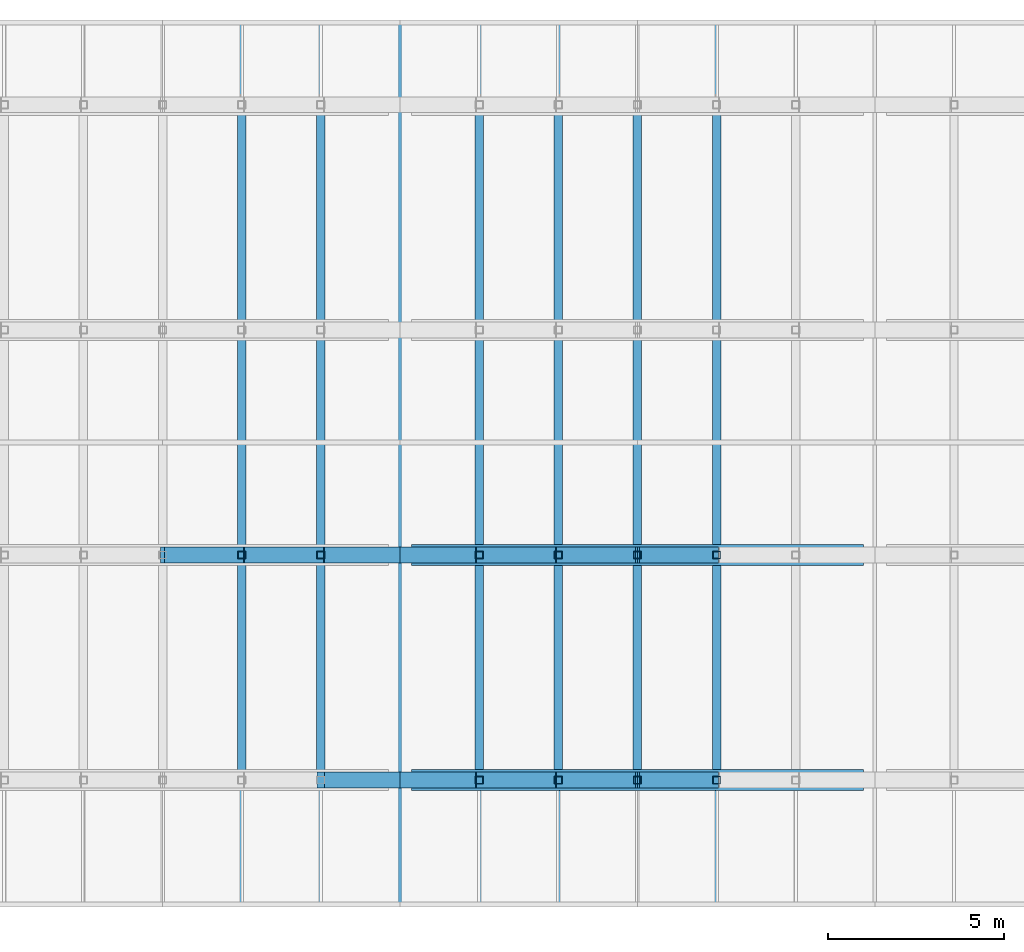
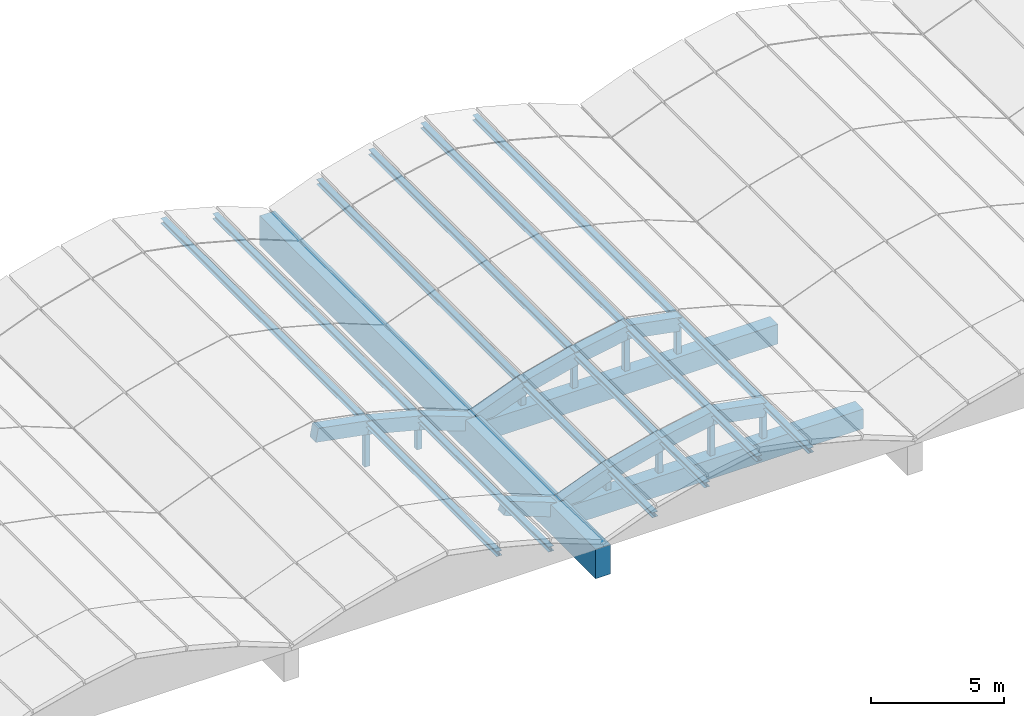
# One storey, part 5 of 15: 16 members, 15 beams.
"""IFC4 building model written with IfcOpenShell, lengths in metres."""

from ifc_helpers import new_model, si_unit, direction, frame, origin, origin_2d, place, context, subcontext, project, spatial, rectangle, hollow_rectangle, i_section, extrude, material, material_profile, profile_set, type_object, element, save


model = new_model("IFC4")

# Units and contexts
model_context = context("Model", 3, precision=1e-05, world=origin(), true_north=direction((0.0, 1.0)))
body_context = subcontext(model_context, "Body", "Model", "MODEL_VIEW")
ifc_project = project(units=[si_unit("LENGTHUNIT", "METRE"), si_unit("AREAUNIT", "SQUARE_METRE"), si_unit("VOLUMEUNIT", "CUBIC_METRE"), si_unit("PLANEANGLEUNIT", "RADIAN"), si_unit("MASSUNIT", "GRAM", prefix="KILO")], contexts=[model_context])

# Site, building, storey
site_placement = place(None, origin())
site = spatial("IfcSite", under=ifc_project, at=site_placement, CompositionType="ELEMENT")
building_placement = place(site_placement, origin())
building = spatial("IfcBuilding", under=site, at=building_placement, Name="Fikremerkos Civic Library", CompositionType="ELEMENT")
storey_placement = place(building_placement, frame((0.0, 0.0, 27.89990234375)))
storey = spatial("IfcBuildingStorey", under=building, at=storey_placement, Name="RF", CompositionType="ELEMENT", Elevation=27.89990234375)

# Members
ifc_material_1 = material(Name="Steel S355", Category="steel")
ifc_material_profile_1 = material_profile(ifc_material_1, hollow_rectangle(XDim=0.219970703125, YDim=0.219970703125, WallThickness=0.012451171875, at=origin_2d()), Name="SHS 220x220x12.5")
ifc_profile_set_1 = profile_set([ifc_material_profile_1], Name="Steel S355")
member_type_1 = type_object("IfcMemberType", Name="Frame post PST-04 SHS 220x220x12.5", PredefinedType="POST", material=ifc_profile_set_1)
member_1_placement = place(storey_placement, frame((68.699951171875, 18.39990234375, -0.75), z_axis=(0.0, 0.0, 1.0), x_axis=(1.0, 0.0, 0.0)))
element("IfcMember", 1, at=member_1_placement, inside=storey, type_object=member_type_1, Name="Vault tied-arch web post PST-04 V4 R2.4", PredefinedType="POST", context=body_context, shape_type="SweptSolid", body=[
    extrude(hollow_rectangle(XDim=0.219970703125, YDim=0.219970703125, WallThickness=0.012451171875, at=origin_2d()), origin(), (0.0, 0.0, 1.0), 2.05419921875),
])
member_2_placement = place(storey_placement, frame((70.949951171875, 18.39990234375, -0.75), z_axis=(0.0, 0.0, 1.0), x_axis=(1.0, 0.0, 0.0)))
element("IfcMember", 2, at=member_2_placement, inside=storey, type_object=member_type_1, Name="Vault tied-arch web post PST-04 V4 R2.5", PredefinedType="POST", context=body_context, shape_type="SweptSolid", body=[
    extrude(hollow_rectangle(XDim=0.219970703125, YDim=0.219970703125, WallThickness=0.012451171875, at=origin_2d()), origin(), (0.0, 0.0, 1.0), 1.47607421875),
])
member_3_placement = place(storey_placement, frame((75.449951171875, 12.0, -0.75), z_axis=(0.0, 0.0, 1.0), x_axis=(1.0, 0.0, 0.0)))
element("IfcMember", 3, at=member_3_placement, inside=storey, type_object=member_type_1, Name="Vault tied-arch web post PST-04 V5 R1.1", PredefinedType="POST", context=body_context, shape_type="SweptSolid", body=[
    extrude(hollow_rectangle(XDim=0.219970703125, YDim=0.219970703125, WallThickness=0.012451171875, at=origin_2d()), origin(), (0.0, 0.0, 1.0), 1.43603515625),
])
member_4_placement = place(storey_placement, frame((77.699951171875, 12.0, -0.75), z_axis=(0.0, 0.0, 1.0), x_axis=(1.0, 0.0, 0.0)))
element("IfcMember", 4, at=member_4_placement, inside=storey, type_object=member_type_1, Name="Vault tied-arch web post PST-04 V5 R1.2", PredefinedType="POST", context=body_context, shape_type="SweptSolid", body=[
    extrude(hollow_rectangle(XDim=0.219970703125, YDim=0.219970703125, WallThickness=0.012451171875, at=origin_2d()), origin(), (0.0, 0.0, 1.0), 2.01416015625),
])
member_5_placement = place(storey_placement, frame((79.949951171875, 12.0, -0.75), z_axis=(0.0, 0.0, 1.0), x_axis=(1.0, 0.0, 0.0)))
element("IfcMember", 5, at=member_5_placement, inside=storey, type_object=member_type_1, Name="Vault tied-arch web post PST-04 V5 R1.3", PredefinedType="POST", context=body_context, shape_type="SweptSolid", body=[
    extrude(hollow_rectangle(XDim=0.219970703125, YDim=0.219970703125, WallThickness=0.012451171875, at=origin_2d()), origin(), (0.0, 0.0, 1.0), 2.43408203125),
])
member_6_placement = place(storey_placement, frame((82.199951171875, 12.0, -0.75), z_axis=(0.0, 0.0, 1.0), x_axis=(1.0, 0.0, 0.0)))
element("IfcMember", 6, at=member_6_placement, inside=storey, type_object=member_type_1, Name="Vault tied-arch web post PST-04 V5 R1.4", PredefinedType="POST", context=body_context, shape_type="SweptSolid", body=[
    extrude(hollow_rectangle(XDim=0.219970703125, YDim=0.219970703125, WallThickness=0.012451171875, at=origin_2d()), origin(), (0.0, 0.0, 1.0), 2.01416015625),
])
member_7_placement = place(storey_placement, frame((75.449951171875, 18.39990234375, -0.75), z_axis=(0.0, 0.0, 1.0), x_axis=(1.0, 0.0, 0.0)))
element("IfcMember", 7, at=member_7_placement, inside=storey, type_object=member_type_1, Name="Vault tied-arch web post PST-04 V5 R2.1", PredefinedType="POST", context=body_context, shape_type="SweptSolid", body=[
    extrude(hollow_rectangle(XDim=0.219970703125, YDim=0.219970703125, WallThickness=0.012451171875, at=origin_2d()), origin(), (0.0, 0.0, 1.0), 1.47607421875),
])
member_8_placement = place(storey_placement, frame((77.699951171875, 18.39990234375, -0.75), z_axis=(0.0, 0.0, 1.0), x_axis=(1.0, 0.0, 0.0)))
element("IfcMember", 8, at=member_8_placement, inside=storey, type_object=member_type_1, Name="Vault tied-arch web post PST-04 V5 R2.2", PredefinedType="POST", context=body_context, shape_type="SweptSolid", body=[
    extrude(hollow_rectangle(XDim=0.219970703125, YDim=0.219970703125, WallThickness=0.012451171875, at=origin_2d()), origin(), (0.0, 0.0, 1.0), 2.05419921875),
])
member_9_placement = place(storey_placement, frame((79.949951171875, 18.39990234375, -0.75), z_axis=(0.0, 0.0, 1.0), x_axis=(1.0, 0.0, 0.0)))
element("IfcMember", 9, at=member_9_placement, inside=storey, type_object=member_type_1, Name="Vault tied-arch web post PST-04 V5 R2.3", PredefinedType="POST", context=body_context, shape_type="SweptSolid", body=[
    extrude(hollow_rectangle(XDim=0.219970703125, YDim=0.219970703125, WallThickness=0.012451171875, at=origin_2d()), origin(), (0.0, 0.0, 1.0), 2.47412109375),
])
member_10_placement = place(storey_placement, frame((82.199951171875, 18.39990234375, -0.75), z_axis=(0.0, 0.0, 1.0), x_axis=(1.0, 0.0, 0.0)))
element("IfcMember", 10, at=member_10_placement, inside=storey, type_object=member_type_1, Name="Vault tied-arch web post PST-04 V5 R2.4", PredefinedType="POST", context=body_context, shape_type="SweptSolid", body=[
    extrude(hollow_rectangle(XDim=0.219970703125, YDim=0.219970703125, WallThickness=0.012451171875, at=origin_2d()), origin(), (0.0, 0.0, 1.0), 2.05419921875),
])

# Beams
ifc_material_2 = material(Name="Concrete C45/55", Category="concrete")
ifc_material_profile_2 = material_profile(ifc_material_2, rectangle(XDim=0.449951171875, YDim=0.6201171875, at=origin_2d()), Name="RC 450x620")
ifc_profile_set_2 = profile_set([ifc_material_profile_2], Name="Concrete C45/55")
beam_type_1 = type_object("IfcBeamType", Name="Primary girder vault arch rib BM-10 RC 450x620", PredefinedType="BEAM", material=ifc_profile_set_2)
beam_1_placement = place(storey_placement, frame((70.949951171875, 12.0, 0.49609375), z_axis=(0.936028311828, 0.0, -0.351924707084), x_axis=(0.0, 1.0, 0.0)))
element("IfcBeam", 11, at=beam_1_placement, inside=storey, type_object=beam_type_1, Name="Concrete vault arch rib BM-10 V4 R1.6", PredefinedType="BEAM", context=body_context, shape_type="SweptSolid", body=[
    extrude(rectangle(XDim=0.449951171875, YDim=0.6201171875, at=origin_2d()), origin(), (0.0, 0.0, 1.0), 2.40380859375),
])
beam_2_placement = place(storey_placement, frame((66.449951171875, 18.39990234375, 1.5341796875), z_axis=(0.983007163041, 0.0, -0.183567201345), x_axis=(0.0, 1.0, 0.0)))
element("IfcBeam", 12, at=beam_2_placement, inside=storey, type_object=beam_type_1, Name="Concrete vault arch rib BM-10 V4 R2.4", PredefinedType="BEAM", context=body_context, shape_type="SweptSolid", body=[
    extrude(rectangle(XDim=0.449951171875, YDim=0.6201171875, at=origin_2d()), origin(), (0.0, 0.0, 1.0), 2.288818359375),
])
beam_3_placement = place(storey_placement, frame((68.699951171875, 18.39990234375, 1.114013671875), z_axis=(0.968564592705, 0.0, -0.248762195197), x_axis=(0.0, 1.0, 0.0)))
element("IfcBeam", 13, at=beam_3_placement, inside=storey, type_object=beam_type_1, Name="Concrete vault arch rib BM-10 V4 R2.5", PredefinedType="BEAM", context=body_context, shape_type="SweptSolid", body=[
    extrude(rectangle(XDim=0.449951171875, YDim=0.6201171875, at=origin_2d()), origin(), (0.0, 0.0, 1.0), 2.322998046875),
])
for number, where, z_axis, x_axis, name in (
    (14, (70.949951171875, 18.39990234375, 0.5361328125), (0.936028311828, 0.0, -0.351924707084), (0.0, 1.0, 0.0), "Concrete vault arch rib BM-10 V4 R2.6"),
    (15, (73.199951171875, 12.0, -0.349853515625), (0.936028311828, 0.0, 0.351924707084), (0.0, 1.0, 0.0), "Concrete vault arch rib BM-10 V5 R1.1"),
):
    element("IfcBeam", number, at=place(storey_placement, frame(where, z_axis=z_axis, x_axis=x_axis)), inside=storey, type_object=beam_type_1, Name=name, PredefinedType="BEAM", context=body_context, shape_type="SweptSolid", body=[
        extrude(rectangle(XDim=0.449951171875, YDim=0.6201171875, at=origin_2d()), origin(), (0.0, 0.0, 1.0), 2.40380859375),
    ])
beam_4_placement = place(storey_placement, frame((75.449951171875, 12.0, 0.49609375), z_axis=(0.968539266286, 0.0, 0.248860783698), x_axis=(0.0, 1.0, 0.0)))
element("IfcBeam", 16, at=beam_4_placement, inside=storey, type_object=beam_type_1, Name="Concrete vault arch rib BM-10 V5 R1.2", PredefinedType="BEAM", context=body_context, shape_type="SweptSolid", body=[
    extrude(rectangle(XDim=0.449951171875, YDim=0.6201171875, at=origin_2d()), origin(), (0.0, 0.0, 1.0), 2.322998046875),
])
for number, where, z_axis, x_axis, name in (
    (17, (77.699951171875, 12.0, 1.07421875), (0.983026405145, 0.0, 0.183464129432), (0.0, 1.0, 0.0), "Concrete vault arch rib BM-10 V5 R1.3"),
    (18, (79.949951171875, 12.0, 1.494140625), (0.983026405145, 0.0, -0.183464129432), (0.0, 1.0, 0.0), "Concrete vault arch rib BM-10 V5 R1.4"),
):
    element("IfcBeam", number, at=place(storey_placement, frame(where, z_axis=z_axis, x_axis=x_axis)), inside=storey, type_object=beam_type_1, Name=name, PredefinedType="BEAM", context=body_context, shape_type="SweptSolid", body=[
        extrude(rectangle(XDim=0.449951171875, YDim=0.6201171875, at=origin_2d()), origin(), (0.0, 0.0, 1.0), 2.288818359375),
    ])
beam_5_placement = place(storey_placement, frame((73.199951171875, 18.39990234375, -0.309814453125), z_axis=(0.936028311828, 0.0, 0.351924707084), x_axis=(0.0, 1.0, 0.0)))
element("IfcBeam", 19, at=beam_5_placement, inside=storey, type_object=beam_type_1, Name="Concrete vault arch rib BM-10 V5 R2.1", PredefinedType="BEAM", context=body_context, shape_type="SweptSolid", body=[
    extrude(rectangle(XDim=0.449951171875, YDim=0.6201171875, at=origin_2d()), origin(), (0.0, 0.0, 1.0), 2.40380859375),
])
beam_6_placement = place(storey_placement, frame((75.449951171875, 18.39990234375, 0.5361328125), z_axis=(0.968564592705, 0.0, 0.248762195197), x_axis=(0.0, 1.0, 0.0)))
element("IfcBeam", 20, at=beam_6_placement, inside=storey, type_object=beam_type_1, Name="Concrete vault arch rib BM-10 V5 R2.2", PredefinedType="BEAM", context=body_context, shape_type="SweptSolid", body=[
    extrude(rectangle(XDim=0.449951171875, YDim=0.6201171875, at=origin_2d()), origin(), (0.0, 0.0, 1.0), 2.322998046875),
])
for number, where, z_axis, x_axis, name in (
    (21, (77.699951171875, 18.39990234375, 1.114013671875), (0.983007163041, 0.0, 0.183567201345), (0.0, 1.0, 0.0), "Concrete vault arch rib BM-10 V5 R2.3"),
    (22, (79.949951171875, 18.39990234375, 1.5341796875), (0.983007163041, 0.0, -0.183567201345), (0.0, 1.0, 0.0), "Concrete vault arch rib BM-10 V5 R2.4"),
):
    element("IfcBeam", number, at=place(storey_placement, frame(where, z_axis=z_axis, x_axis=x_axis)), inside=storey, type_object=beam_type_1, Name=name, PredefinedType="BEAM", context=body_context, shape_type="SweptSolid", body=[
        extrude(rectangle(XDim=0.449951171875, YDim=0.6201171875, at=origin_2d()), origin(), (0.0, 0.0, 1.0), 2.288818359375),
    ])
ifc_material_profile_3 = material_profile(ifc_material_2, rectangle(XDim=0.60009765625, YDim=0.89990234375, at=origin_2d()), Name="RC 600x900")
ifc_profile_set_3 = profile_set([ifc_material_profile_3], Name="Concrete C45/55")
beam_type_2 = type_object("IfcBeamType", Name="Primary girder vault tie ring BM-09 RC 600x900", PredefinedType="BEAM", material=ifc_profile_set_3)
for number, where, z_axis, x_axis, name in (
    (23, (73.52490234375, 12.0, -0.75), (1.0, 0.0, 0.0), (0.0, 1.0, 0.0), "Vault springing tie ring beam BM-09 V5 #1"),
    (24, (73.52490234375, 18.39990234375, -0.75), (1.0, 0.0, 0.0), (0.0, 1.0, 0.0), "Vault springing tie ring beam BM-09 V5 #2"),
):
    element("IfcBeam", number, at=place(storey_placement, frame(where, z_axis=z_axis, x_axis=x_axis)), inside=storey, type_object=beam_type_2, Name=name, PredefinedType="BEAM", context=body_context, shape_type="SweptSolid", body=[
        extrude(rectangle(XDim=0.60009765625, YDim=0.89990234375, at=origin_2d()), origin(), (0.0, 0.0, 1.0), 12.85009765625),
    ])

# Members
ifc_material_profile_4 = material_profile(ifc_material_1, i_section(OverallWidth=0.239990234375, OverallDepth=0.22998046875, WebThickness=0.007568359375, FlangeThickness=0.011962890625, FilletRadius=0.02099609375, at=origin_2d()), Name="HEA 240")
ifc_profile_set_4 = profile_set([ifc_material_profile_4], Name="Steel S355")
member_type_2 = type_object("IfcMemberType", Name="Roof purlin PUR-06 HEA 240", PredefinedType="PURLIN", material=ifc_profile_set_4)
for number, where, z_axis, x_axis, name in (
    (25, (68.699951171875, 8.39990234375, 1.26904296875), (0.0, 1.0, 0.0), (-1.0, 0.0, 0.0), "Vault fold-line purlin PUR-06 V4 #4"),
    (26, (70.949951171875, 8.39990234375, 0.691162109375), (0.0, 1.0, 0.0), (-1.0, 0.0, 0.0), "Vault fold-line purlin PUR-06 V4 #5"),
    (27, (75.449951171875, 8.39990234375, 0.691162109375), (0.0, 1.0, 0.0), (-1.0, 0.0, 0.0), "Vault fold-line purlin PUR-06 V5 #1"),
    (28, (77.699951171875, 8.39990234375, 1.26904296875), (0.0, 1.0, 0.0), (-1.0, 0.0, 0.0), "Vault fold-line purlin PUR-06 V5 #2"),
    (29, (79.949951171875, 8.39990234375, 1.689208984375), (0.0, 1.0, 0.0), (-1.0, 0.0, 0.0), "Vault fold-line purlin PUR-06 V5 #3"),
    (30, (82.199951171875, 8.39990234375, 1.26904296875), (0.0, 1.0, 0.0), (-1.0, 0.0, 0.0), "Vault fold-line purlin PUR-06 V5 #4"),
):
    element("IfcMember", number, at=place(storey_placement, frame(where, z_axis=z_axis, x_axis=x_axis)), inside=storey, type_object=member_type_2, Name=name, PredefinedType="PURLIN", context=body_context, shape_type="SweptSolid", body=[
        extrude(i_section(OverallWidth=0.239990234375, OverallDepth=0.22998046875, WebThickness=0.007568359375, FlangeThickness=0.011962890625, FilletRadius=0.02099609375, at=origin_2d()), origin(), (0.0, 0.0, 1.0), 25.2001953125),
    ])

# Beam
ifc_material_profile_5 = material_profile(ifc_material_2, rectangle(XDim=0.64990234375, YDim=1.35009765625, at=origin_2d()), Name="RC 650x1350")
ifc_profile_set_5 = profile_set([ifc_material_profile_5], Name="Concrete C45/55")
beam_type_3 = type_object("IfcBeamType", Name="Spandrel edge beam valley SPB-01 RC 650x1350", PredefinedType="SPANDREL", material=ifc_profile_set_5)
beam_7_placement = place(storey_placement, frame((73.199951171875, 8.39990234375, -0.6748046875), z_axis=(0.0, 1.0, 0.0), x_axis=(-1.0, 0.0, 0.0)))
element("IfcBeam", 31, at=beam_7_placement, inside=storey, type_object=beam_type_3, Name="Reading hall concrete valley edge beam SPB-01 #5", PredefinedType="SPANDREL", context=body_context, shape_type="SweptSolid", body=[
    extrude(rectangle(XDim=0.64990234375, YDim=1.35009765625, at=origin_2d()), origin(), (0.0, 0.0, 1.0), 25.2001953125),
])

save(model, "model.ifc")
